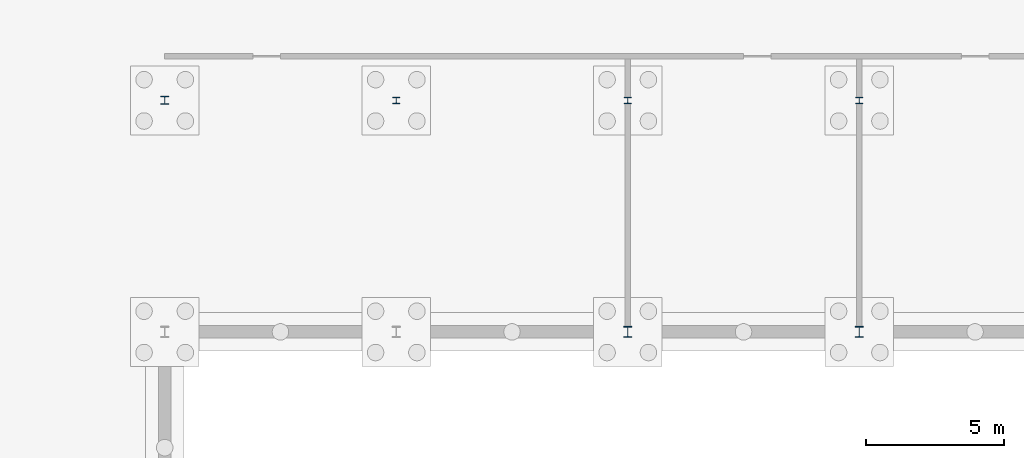
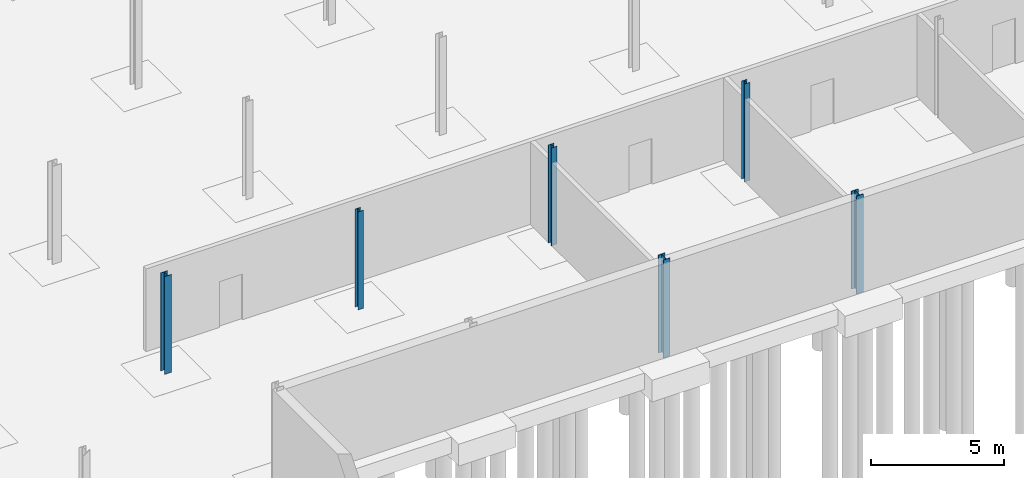
# One storey, part 7 of 35: 6 columns.
"""IFC4 building model written with IfcOpenShell, lengths in metres."""

from ifc_helpers import new_model, si_unit, direction, frame, origin, origin_2d, place, context, subcontext, project, spatial, i_section, extrude, material, material_profile, profile_set, type_object, element, save


model = new_model("IFC4")

# Units and contexts
model_context = context("Model", 3, precision=1e-05, world=origin(), true_north=direction((0.0, 1.0)))
body_context = subcontext(model_context, "Body", "Model", "MODEL_VIEW")
ifc_project = project(units=[si_unit("LENGTHUNIT", "METRE"), si_unit("AREAUNIT", "SQUARE_METRE"), si_unit("VOLUMEUNIT", "CUBIC_METRE"), si_unit("PLANEANGLEUNIT", "RADIAN"), si_unit("MASSUNIT", "GRAM", prefix="KILO")], contexts=[model_context])

# Site, building, storey
site_placement = place(None, origin())
site = spatial("IfcSite", under=ifc_project, at=site_placement, CompositionType="ELEMENT")
building_placement = place(site_placement, origin())
building = spatial("IfcBuilding", under=site, at=building_placement, Name="Ardhachandra Cancer Care Centre", CompositionType="ELEMENT")
storey_placement = place(building_placement, frame((0.0, 0.0, -4.5)))
storey = spatial("IfcBuildingStorey", under=building, at=storey_placement, Name="B1", CompositionType="ELEMENT", Elevation=-4.5)

# Columns
ifc_material_1 = material(Name="Steel E350 (IS 2062)", Category="steel")
ifc_material_profile_1 = material_profile(ifc_material_1, i_section(OverallWidth=0.239990234375, OverallDepth=0.239990234375, WebThickness=0.010009765625, FlangeThickness=0.01708984375, FilletRadius=0.02099609375, at=origin_2d()), Name="WPB 240x240x83.20")
ifc_profile_set_1 = profile_set([ifc_material_profile_1], Name="Steel E350 (IS 2062)")
column_type_1 = type_object("IfcColumnType", Name="Column WPB 240x240x83.20", PredefinedType="COLUMN", material=ifc_profile_set_1)
for number, where, z_axis, x_axis, name in (
    (1, (52.800048828125, 63.0, 0.0), (0.0, 0.0, 1.0), (1.0, 0.0, 0.0), "Column G6 B1"),
    (2, (61.199951171875, 63.0, 0.0), (0.0, 0.0, 1.0), (1.0, 0.0, 0.0), "Column G7 B1"),
    (3, (69.60009765625, 63.0, 0.0), (0.0, 0.0, 1.0), (1.0, 0.0, 0.0), "Column G8 B1"),
):
    element("IfcColumn", number, at=place(storey_placement, frame(where, z_axis=z_axis, x_axis=x_axis)), inside=storey, type_object=column_type_1, Name=name, PredefinedType="COLUMN", context=body_context, shape_type="SweptSolid", body=[
        extrude(i_section(OverallWidth=0.239990234375, OverallDepth=0.239990234375, WebThickness=0.010009765625, FlangeThickness=0.01708984375, FilletRadius=0.02099609375, at=origin_2d()), origin(), (0.0, 0.0, 1.0), 4.5),
    ])
ifc_material_2 = material(Name="Steel E350 (IS 2062)", Category="steel")
ifc_material_profile_2 = material_profile(ifc_material_2, i_section(OverallWidth=0.300048828125, OverallDepth=0.300048828125, WebThickness=0.010986328125, FlangeThickness=0.01904296875, FilletRadius=0.027099609375, at=origin_2d()), Name="WPB 300x300x117.03")
ifc_profile_set_2 = profile_set([ifc_material_profile_2], Name="Steel E350 (IS 2062)")
column_type_2 = type_object("IfcColumnType", Name="Column WPB 300x300x117.03", PredefinedType="COLUMN", material=ifc_profile_set_2)
column_placement = place(storey_placement, frame((44.39990234375, 63.0, 0.0), z_axis=(0.0, 0.0, 1.0), x_axis=(1.0, 0.0, 0.0)))
element("IfcColumn", 4, at=column_placement, inside=storey, type_object=column_type_2, Name="Column G5 B1", PredefinedType="COLUMN", context=body_context, shape_type="SweptSolid", body=[
    extrude(i_section(OverallWidth=0.300048828125, OverallDepth=0.300048828125, WebThickness=0.010986328125, FlangeThickness=0.01904296875, FilletRadius=0.027099609375, at=origin_2d()), origin(), (0.0, 0.0, 1.0), 4.5),
])
ifc_material_3 = material(Name="Steel E350 (IS 2062)", Category="steel")
ifc_material_profile_3 = material_profile(ifc_material_3, i_section(OverallWidth=0.300048828125, OverallDepth=0.39990234375, WebThickness=0.013427734375, FlangeThickness=0.02392578125, FilletRadius=0.027099609375, at=origin_2d()), Name="WPB 400x300x155.26")
ifc_profile_set_3 = profile_set([ifc_material_profile_3], Name="Steel E350 (IS 2062)")
column_type_3 = type_object("IfcColumnType", Name="Column WPB 400x300x155.26", PredefinedType="COLUMN", material=ifc_profile_set_3)
for number, where, z_axis, x_axis, name in (
    (5, (61.199951171875, 54.60009765625, 0.0), (0.0, 0.0, 1.0), (1.0, 0.0, 0.0), "Column F7 B1"),
    (6, (69.60009765625, 54.60009765625, 0.0), (0.0, 0.0, 1.0), (1.0, 0.0, 0.0), "Column F8 B1"),
):
    element("IfcColumn", number, at=place(storey_placement, frame(where, z_axis=z_axis, x_axis=x_axis)), inside=storey, type_object=column_type_3, Name=name, PredefinedType="COLUMN", context=body_context, shape_type="SweptSolid", body=[
        extrude(i_section(OverallWidth=0.300048828125, OverallDepth=0.39990234375, WebThickness=0.013427734375, FlangeThickness=0.02392578125, FilletRadius=0.027099609375, at=origin_2d()), origin(), (0.0, 0.0, 1.0), 4.5),
    ])

save(model, "model.ifc")
